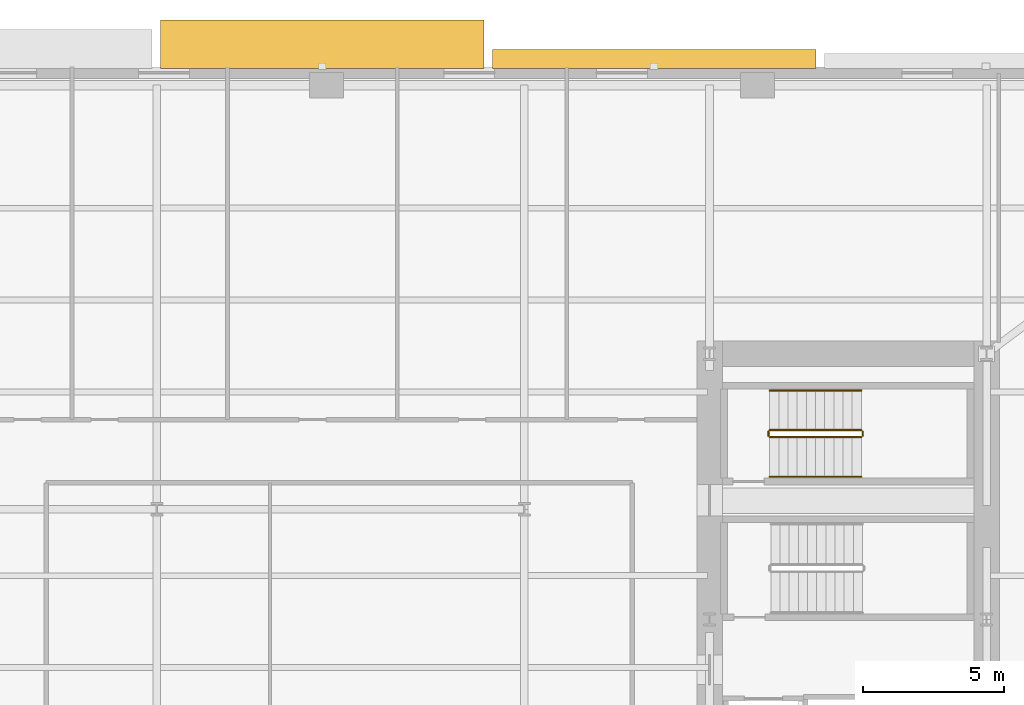
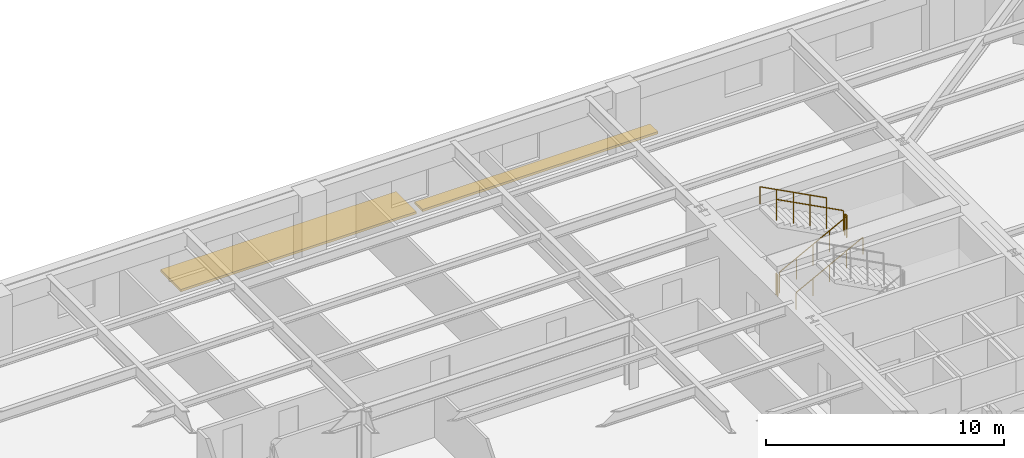
# One storey, part 13 of 14: 6 railings, 2 shading devices.
"""IFC4 building model written with IfcOpenShell, lengths in metres."""

from ifc_helpers import new_model, si_unit, direction, frame, origin, origin_2d, place, context, subcontext, project, spatial, rectangle, circle, extrude, material, type_object, element, save


model = new_model("IFC4")

# Units and contexts
model_context = context("Model", 3, precision=1e-05, world=origin(), true_north=direction((0.0, 1.0)))
body_context = subcontext(model_context, "Body", "Model", "MODEL_VIEW")
ifc_project = project(units=[si_unit("LENGTHUNIT", "METRE"), si_unit("AREAUNIT", "SQUARE_METRE"), si_unit("VOLUMEUNIT", "CUBIC_METRE"), si_unit("PLANEANGLEUNIT", "RADIAN"), si_unit("MASSUNIT", "GRAM", prefix="KILO")], contexts=[model_context])

# Site, building, storey
site_placement = place(None, origin())
site = spatial("IfcSite", under=ifc_project, at=site_placement, CompositionType="ELEMENT")
building_placement = place(site_placement, origin())
building = spatial("IfcBuilding", under=site, at=building_placement, Name="Kolvaren Arena Tower", CompositionType="ELEMENT")
storey_placement = place(building_placement, frame((0.0, 0.0, 53.25)))
storey = spatial("IfcBuildingStorey", under=building, at=storey_placement, Name="L10", CompositionType="ELEMENT", Elevation=53.25)

# Railings
ifc_material_1 = material(Name="Painted galvanized steel", Category="steel")
railing_type_1 = type_object("IfcRailingType", Name="GUARD-ST-110", PredefinedType="GUARDRAIL", material=ifc_material_1)
railing_1_placement = place(storey_placement, frame((52.679931640625, 36.39990234375, 0.17041015625)))
element("IfcRailing", 1, at=railing_1_placement, inside=storey, type_object=railing_type_1, Name="L10 ST-E2 stair guard 1", PredefinedType="GUARDRAIL", context=body_context, shape_type="SweptSolid", body=[
    extrude(circle(Radius=0.02392578125, at=origin_2d()), frame((0.0, 0.0, 1.076171875), z_axis=(0.884993431791, 0.0, 0.465603506952), x_axis=(0.0, 1.0, 0.0)), (0.0, 0.0, 1.0), 3.6611328125),
    extrude(circle(Radius=0.02099609375, at=origin_2d()), origin(), (0.0, 0.0, 1.0), 1.052001953125),
    extrude(circle(Radius=0.02099609375, at=origin_2d()), frame((0.81005859375, 0.0, 0.42626953125)), (0.0, 0.0, 1.0), 1.052001953125),
    extrude(circle(Radius=0.02099609375, at=origin_2d()), frame((1.6201171875, 0.0, 0.852294921875)), (0.0, 0.0, 1.0), 1.052001953125),
    extrude(circle(Radius=0.02099609375, at=origin_2d()), frame((2.429931640625, 0.0, 1.2783203125)), (0.0, 0.0, 1.0), 1.052001953125),
    extrude(circle(Radius=0.02099609375, at=origin_2d()), frame((3.239990234375, 0.0, 1.70458984375)), (0.0, 0.0, 1.0), 1.052001953125),
])
railing_2_placement = place(storey_placement, frame((55.969970703125, 36.449951171875, 1.875)))
element("IfcRailing", 2, at=railing_2_placement, inside=storey, type_object=railing_type_1, Name="L10 ST-E2 stair guard 2", PredefinedType="GUARDRAIL", context=body_context, shape_type="SweptSolid", body=[
    extrude(circle(Radius=0.02392578125, at=origin_2d()), frame((0.0, 0.0, 1.076171875), z_axis=(0.0, 1.0, 0.0), x_axis=(-1.0, 0.0, 0.0)), (0.0, 0.0, 1.0), 0.150146484375),
    extrude(circle(Radius=0.02099609375, at=origin_2d()), origin(), (0.0, 0.0, 1.0), 1.052001953125),
    extrude(circle(Radius=0.02099609375, at=origin_2d()), frame((0.0, 0.150146484375, 0.0)), (0.0, 0.0, 1.0), 1.052001953125),
])
railing_3_placement = place(storey_placement, frame((55.919921875, 36.64990234375, 2.04541015625)))
element("IfcRailing", 3, at=railing_3_placement, inside=storey, type_object=railing_type_1, Name="L10 ST-E2 stair guard 3", PredefinedType="GUARDRAIL", context=body_context, shape_type="SweptSolid", body=[
    extrude(circle(Radius=0.02392578125, at=origin_2d()), frame((0.0, 0.0, 1.076171875), z_axis=(-0.884993431791, 0.0, 0.465603506952), x_axis=(0.0, -1.0, 0.0)), (0.0, 0.0, 1.0), 3.6611328125),
    extrude(circle(Radius=0.02099609375, at=origin_2d()), origin(), (0.0, 0.0, 1.0), 1.052001953125),
    extrude(circle(Radius=0.02099609375, at=origin_2d()), frame((-0.81005859375, 0.0, 0.42626953125)), (0.0, 0.0, 1.0), 1.052001953125),
    extrude(circle(Radius=0.02099609375, at=origin_2d()), frame((-1.6201171875, 0.0, 0.852294921875)), (0.0, 0.0, 1.0), 1.052001953125),
    extrude(circle(Radius=0.02099609375, at=origin_2d()), frame((-2.429931640625, 0.0, 1.2783203125)), (0.0, 0.0, 1.0), 1.052001953125),
    extrude(circle(Radius=0.02099609375, at=origin_2d()), frame((-3.239990234375, 0.0, 1.70458984375)), (0.0, 0.0, 1.0), 1.052001953125),
])
railing_4_placement = place(storey_placement, frame((52.6298828125, 36.449951171875, 0.0)))
element("IfcRailing", 4, at=railing_4_placement, inside=storey, type_object=railing_type_1, Name="L10 ST-E2 stair guard 4", PredefinedType="GUARDRAIL", context=body_context, shape_type="SweptSolid", body=[
    extrude(circle(Radius=0.02392578125, at=origin_2d()), frame((0.0, 0.0, 1.076171875), z_axis=(0.0, 1.0, 0.0), x_axis=(-1.0, 0.0, 0.0)), (0.0, 0.0, 1.0), 0.150146484375),
    extrude(circle(Radius=0.02099609375, at=origin_2d()), origin(), (0.0, 0.0, 1.0), 1.052001953125),
    extrude(circle(Radius=0.02099609375, at=origin_2d()), frame((0.0, 0.150146484375, 0.0)), (0.0, 0.0, 1.0), 1.052001953125),
])
ifc_material_2 = material(Name="Brushed stainless steel handrail", Category="steel")
railing_type_2 = type_object("IfcRailingType", Name="HRAIL-900", PredefinedType="HANDRAIL", material=ifc_material_2)
railing_5_placement = place(storey_placement, frame((52.679931640625, 35.0, 0.17041015625)))
element("IfcRailing", 5, at=railing_5_placement, inside=storey, type_object=railing_type_2, Name="L10 ST-E2 stair handrail 1", PredefinedType="HANDRAIL", context=body_context, shape_type="SweptSolid", body=[
    extrude(circle(Radius=0.02392578125, at=origin_2d()), frame((0.0, 0.0, 0.8759765625), z_axis=(0.884993431791, 0.0, 0.465603506952), x_axis=(0.0, 1.0, 0.0)), (0.0, 0.0, 1.0), 3.6611328125),
    extrude(circle(Radius=0.02099609375, at=origin_2d()), origin(), (0.0, 0.0, 1.0), 0.851806640625),
    extrude(circle(Radius=0.02099609375, at=origin_2d()), frame((0.81005859375, 0.0, 0.42626953125)), (0.0, 0.0, 1.0), 0.851806640625),
    extrude(circle(Radius=0.02099609375, at=origin_2d()), frame((1.6201171875, 0.0, 0.852294921875)), (0.0, 0.0, 1.0), 0.851806640625),
    extrude(circle(Radius=0.02099609375, at=origin_2d()), frame((2.429931640625, 0.0, 1.2783203125)), (0.0, 0.0, 1.0), 0.851806640625),
    extrude(circle(Radius=0.02099609375, at=origin_2d()), frame((3.239990234375, 0.0, 1.70458984375)), (0.0, 0.0, 1.0), 0.851806640625),
])
railing_6_placement = place(storey_placement, frame((55.919921875, 38.050048828125, 2.04541015625)))
element("IfcRailing", 6, at=railing_6_placement, inside=storey, type_object=railing_type_2, Name="L10 ST-E2 stair handrail 2", PredefinedType="HANDRAIL", context=body_context, shape_type="SweptSolid", body=[
    extrude(circle(Radius=0.02392578125, at=origin_2d()), frame((0.0, 0.0, 0.8759765625), z_axis=(-0.884993431791, 0.0, 0.465603506952), x_axis=(0.0, -1.0, 0.0)), (0.0, 0.0, 1.0), 3.6611328125),
    extrude(circle(Radius=0.02099609375, at=origin_2d()), origin(), (0.0, 0.0, 1.0), 0.851806640625),
    extrude(circle(Radius=0.02099609375, at=origin_2d()), frame((-0.81005859375, 0.0, 0.42626953125)), (0.0, 0.0, 1.0), 0.851806640625),
    extrude(circle(Radius=0.02099609375, at=origin_2d()), frame((-1.6201171875, 0.0, 0.852294921875)), (0.0, 0.0, 1.0), 0.851806640625),
    extrude(circle(Radius=0.02099609375, at=origin_2d()), frame((-2.429931640625, 0.0, 1.2783203125)), (0.0, 0.0, 1.0), 0.851806640625),
    extrude(circle(Radius=0.02099609375, at=origin_2d()), frame((-3.239990234375, 0.0, 1.70458984375)), (0.0, 0.0, 1.0), 0.851806640625),
])

# Shading devices
ifc_material_3 = material(Name="Architectural precast GFRC and anodised aluminium sunshade", Category="concrete")
shading_device_type_1 = type_object("IfcShadingDeviceType", Name="SHAD-SINE-A", PredefinedType="USERDEFINED", material=ifc_material_3)
shading_device_1_placement = place(storey_placement, frame((48.590087890625, 49.779052734375, -0.14013671875), z_axis=(0.0, 0.0, 1.0), x_axis=(1.0, 0.0, 0.0)))
element("IfcShadingDevice", 7, at=shading_device_1_placement, inside=storey, type_object=shading_device_type_1, Name="Sinusoidal Slab-Edge Sunshade Louvre (L10)", ObjectType="LOUVRE", PredefinedType="USERDEFINED", context=body_context, shape_type="SweptSolid", body=[
    extrude(rectangle(XDim=11.43994140625, YDim=0.658203125, at=origin_2d()), origin(), (0.0, 0.0, 1.0), 0.1201171875),
])
shading_device_type_2 = type_object("IfcShadingDeviceType", Name="SHAD-SINE-B", PredefinedType="JALOUSIE", material=ifc_material_3)
shading_device_2_placement = place(storey_placement, frame((36.85009765625, 50.3037109375, -0.14013671875), z_axis=(0.0, 0.0, 1.0), x_axis=(1.0, 0.0, 0.0)))
element("IfcShadingDevice", 8, at=shading_device_2_placement, inside=storey, type_object=shading_device_type_2, Name="Sinusoidal Slab-Edge Sunshade Louvre (L10)", PredefinedType="JALOUSIE", context=body_context, shape_type="SweptSolid", body=[
    extrude(rectangle(XDim=11.43994140625, YDim=1.70751953125, at=origin_2d()), origin(), (0.0, 0.0, 1.0), 0.1201171875),
])

save(model, "model.ifc")
